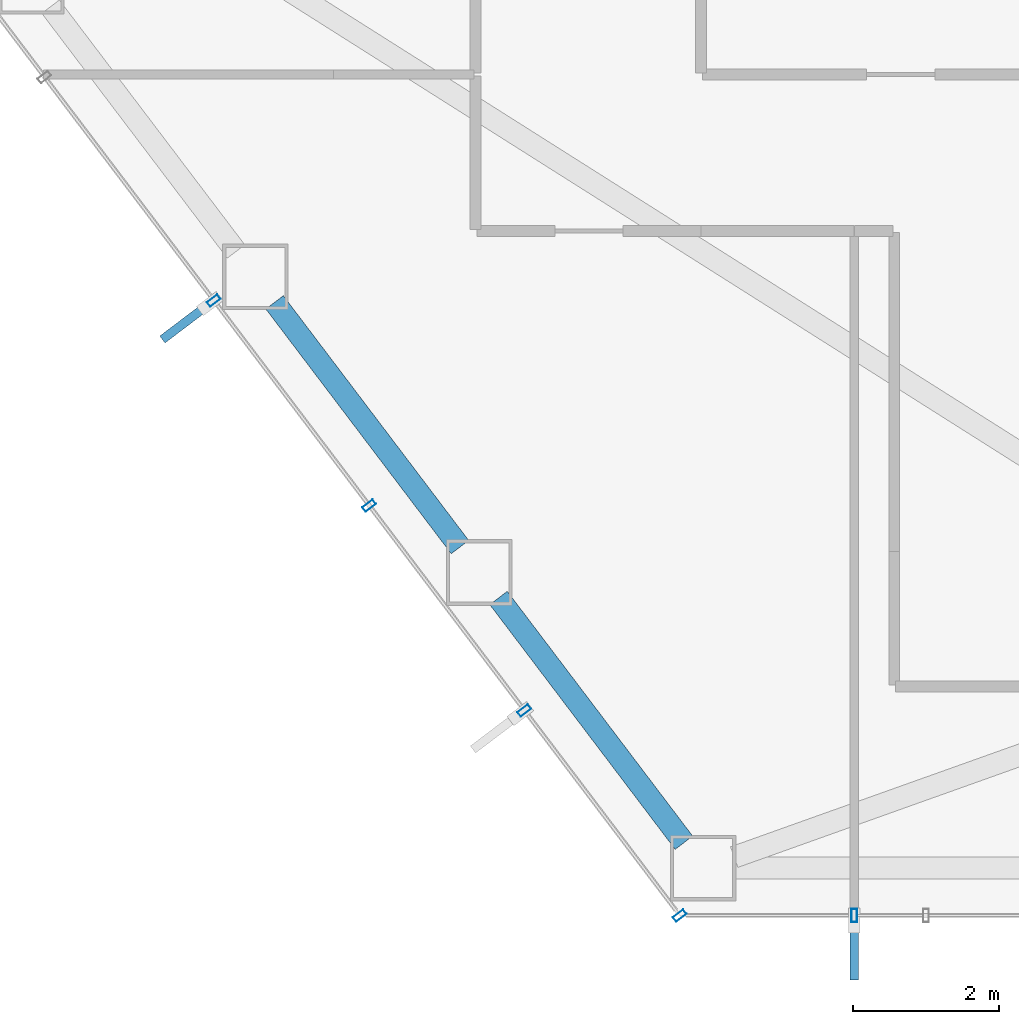
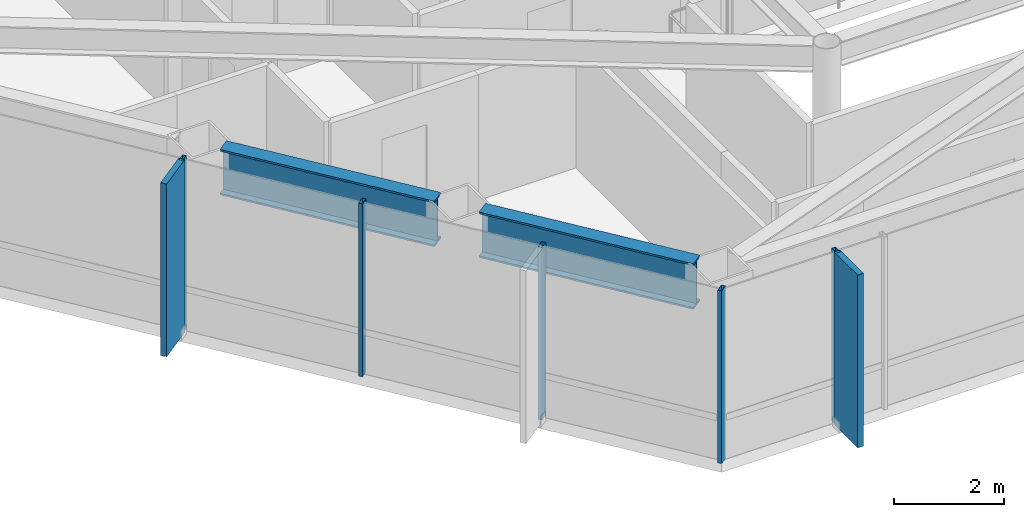
# One storey, part 2 of 24: 7 members, 2 beams, 2 elements without a shape of their own.
"""IFC4 building model written with IfcOpenShell, lengths in metres."""

from ifc_helpers import new_model, si_unit, direction, frame, origin, origin_2d, place, context, subcontext, project, spatial, rectangle, hollow_rectangle, i_section, extrude, material, layer, layer_set, material_profile, profile_set, type_object, element, aggregate, save


model = new_model("IFC4")

# Units and contexts
model_context = context("Model", 3, precision=1e-05, world=origin(), true_north=direction((0.0, 1.0)))
body_context = subcontext(model_context, "Body", "Model", "MODEL_VIEW")
ifc_project = project(units=[si_unit("LENGTHUNIT", "METRE"), si_unit("AREAUNIT", "SQUARE_METRE"), si_unit("VOLUMEUNIT", "CUBIC_METRE"), si_unit("PLANEANGLEUNIT", "RADIAN"), si_unit("MASSUNIT", "GRAM", prefix="KILO")], contexts=[model_context])

# Site, building, storey
site_placement = place(None, origin())
site = spatial("IfcSite", under=ifc_project, at=site_placement, CompositionType="ELEMENT")
building_placement = place(site_placement, origin())
building = spatial("IfcBuilding", under=site, at=building_placement, Name="Zarrinselat Tower", CompositionType="ELEMENT")
storey_placement = place(building_placement, frame((0.0, 0.0, 76.5)))
storey = spatial("IfcBuildingStorey", under=building, at=storey_placement, Name="L18", CompositionType="ELEMENT", Elevation=76.5)

# Beams
ifc_material_1 = material(Name="Steel S460M", Category="steel")
ifc_material_profile_1 = material_profile(ifc_material_1, i_section(OverallWidth=0.302001953125, OverallDepth=1.008056640625, WebThickness=0.02099609375, FlangeThickness=0.0400390625, at=origin_2d()), Name="HEM 1000")
ifc_profile_set_1 = profile_set([ifc_material_profile_1], Name="Steel S460M")
beam_type = type_object("IfcBeamType", Name="BM-HEM1000", PredefinedType="BEAM", material=ifc_profile_set_1)
beam_1_placement = place(storey_placement, frame((22.69384765625, 27.021728515625, 3.31591796875), z_axis=(0.603857687995, -0.797092148154, 0.0), x_axis=(0.797092148154, 0.603857687995, 0.0)))
element("IfcBeam", 1, at=beam_1_placement, inside=storey, type_object=beam_type, Name="L18 Perimeter Spandrel Girder SP08", PredefinedType="BEAM", context=body_context, shape_type="SweptSolid", body=[
    extrude(i_section(OverallWidth=0.302001953125, OverallDepth=1.008056640625, WebThickness=0.02099609375, FlangeThickness=0.0400390625, at=origin_2d()), origin(), (0.0, 0.0, 1.0), 4.21484375),
])
beam_2_placement = place(storey_placement, frame((25.76806640625, 22.9638671875, 3.31591796875), z_axis=(0.603829808342, -0.797113268336, 0.0), x_axis=(0.797113268336, 0.603829808342, 0.0)))
element("IfcBeam", 2, at=beam_2_placement, inside=storey, type_object=beam_type, Name="L18 Perimeter Spandrel Girder SP09", PredefinedType="BEAM", context=body_context, shape_type="SweptSolid", body=[
    extrude(i_section(OverallWidth=0.302001953125, OverallDepth=1.008056640625, WebThickness=0.02099609375, FlangeThickness=0.0400390625, at=origin_2d()), origin(), (0.0, 0.0, 1.0), 4.215087890625),
])

# Curtain wall, members
ifc_material_2 = material(Name="Extruded Aluminium Alloy EN AW-6063 T6", Category="aluminium")
ifc_layer = layer(ifc_material_2, 0.18505859375)
ifc_layer_set = layer_set([ifc_layer], Name="Extruded Aluminium Alloy EN AW-6063 T6")
curtain_wall_type = type_object("IfcCurtainWallType", Name="CWS-OFF", PredefinedType="NOTDEFINED", material=ifc_layer_set)
curtain_wall_1_placement = place(storey_placement, origin())
curtain_wall_1 = element("IfcCurtainWall", 3, at=curtain_wall_1_placement, inside=storey, type_object=curtain_wall_type, Name="L18 Unitised Curtain Wall CW-L18-E03", PredefinedType="NOTDEFINED")
ifc_material_3 = material(Name="Extruded Aluminium Alloy EN AW-6063 T6", Category="aluminium")
ifc_material_profile_2 = material_profile(ifc_material_3, hollow_rectangle(XDim=0.080078125, YDim=0.179931640625, WallThickness=0.0048828125, at=origin_2d()), Name="RHS 180x80x5")
ifc_profile_set_2 = profile_set([ifc_material_profile_2], Name="Extruded Aluminium Alloy EN AW-6063 T6")
member_type_1 = type_object("IfcMemberType", Name="MEM-CW-MUL", PredefinedType="MULLION", material=ifc_profile_set_2)
member_1_placement = place(storey_placement, frame((21.860107421875, 27.0458984375, 0.0), z_axis=(0.0, 0.0, 1.0), x_axis=(0.603854869931, -0.797094283044, 0.0)))
member_1 = element("IfcMember", 4, at=member_1_placement, type_object=member_type_1, Name="CW-L18-E03 Mullion 3", PredefinedType="MULLION", context=body_context, shape_type="SweptSolid", body=[
    extrude(hollow_rectangle(XDim=0.080078125, YDim=0.179931640625, WallThickness=0.0048828125, at=origin_2d()), origin(), (0.0, 0.0, 1.0), 3.820068359375),
])
member_2_placement = place(storey_placement, frame((23.99169921875, 24.232177734375, 0.0), z_axis=(0.0, 0.0, 1.0), x_axis=(0.603854869931, -0.797094283044, 0.0)))
member_2 = element("IfcMember", 5, at=member_2_placement, type_object=member_type_1, Name="CW-L18-E03 Mullion 4", PredefinedType="MULLION", context=body_context, shape_type="SweptSolid", body=[
    extrude(hollow_rectangle(XDim=0.080078125, YDim=0.179931640625, WallThickness=0.0048828125, at=origin_2d()), origin(), (0.0, 0.0, 1.0), 3.820068359375),
])
member_3_placement = place(storey_placement, frame((26.123291015625, 21.418701171875, 0.0), z_axis=(0.0, 0.0, 1.0), x_axis=(0.603854869931, -0.797094283044, 0.0)))
member_3 = element("IfcMember", 6, at=member_3_placement, type_object=member_type_1, Name="CW-L18-E03 Mullion 5", PredefinedType="MULLION", context=body_context, shape_type="SweptSolid", body=[
    extrude(hollow_rectangle(XDim=0.080078125, YDim=0.179931640625, WallThickness=0.0048828125, at=origin_2d()), origin(), (0.0, 0.0, 1.0), 3.820068359375),
])
member_4_placement = place(storey_placement, frame((28.2548828125, 18.60498046875, 0.0), z_axis=(0.0, 0.0, 1.0), x_axis=(0.603854869931, -0.797094283044, 0.0)))
member_4 = element("IfcMember", 7, at=member_4_placement, type_object=member_type_1, Name="CW-L18-E03 Mullion 6", PredefinedType="MULLION", context=body_context, shape_type="SweptSolid", body=[
    extrude(hollow_rectangle(XDim=0.080078125, YDim=0.179931640625, WallThickness=0.0048828125, at=origin_2d()), origin(), (0.0, 0.0, 1.0), 3.820068359375),
])

# Curtain wall, member
curtain_wall_2_placement = place(storey_placement, origin())
curtain_wall_2 = element("IfcCurtainWall", 8, at=curtain_wall_2_placement, inside=storey, type_object=curtain_wall_type, Name="L18 Unitised Curtain Wall CW-L18-E04", PredefinedType="NOTDEFINED")
member_5_placement = place(storey_placement, frame((30.64990234375, 18.60498046875, 0.0), z_axis=(0.0, 0.0, 1.0), x_axis=(1.0, 0.0, 0.0)))
member_5 = element("IfcMember", 9, at=member_5_placement, type_object=member_type_1, Name="CW-L18-E04 Mullion 1", PredefinedType="MULLION", context=body_context, shape_type="SweptSolid", body=[
    extrude(hollow_rectangle(XDim=0.080078125, YDim=0.179931640625, WallThickness=0.0048828125, at=origin_2d()), origin(), (0.0, 0.0, 1.0), 3.820068359375),
])

# Member
ifc_material_4 = material(Name="Honed Cream Travertine Stone", Category="masonry")
ifc_material_profile_3 = material_profile(ifc_material_4, rectangle(XDim=0.1201171875, YDim=0.85009765625, at=origin_2d()), Name="FIN 850x120")
ifc_profile_set_3 = profile_set([ifc_material_profile_3], Name="Honed Cream Travertine Stone")
member_type_2 = type_object("IfcMemberType", Name="MEM-STONE-FIN", PredefinedType="USERDEFINED", material=ifc_profile_set_3)
member_6_placement = place(storey_placement, frame((21.493408203125, 26.76806640625, 0.0), z_axis=(0.0, 0.0, 1.0), x_axis=(-0.603854869931, 0.797094283044, 0.0)))
member_6 = element("IfcMember", 10, at=member_6_placement, type_object=member_type_2, Name="L18 Stone Shading Fin CW-L18-E03-03", ObjectType="FIN", PredefinedType="USERDEFINED", context=body_context, shape_type="SweptSolid", body=[
    extrude(rectangle(XDim=0.1201171875, YDim=0.85009765625, at=origin_2d()), origin(), (0.0, 0.0, 1.0), 3.820068359375),
])

aggregate(curtain_wall_1, [member_1, member_6, member_2, member_3, member_4])

member_7_placement = place(storey_placement, frame((30.64990234375, 18.14501953125, 0.0), z_axis=(0.0, 0.0, 1.0), x_axis=(-1.0, 0.0, 0.0)))
member_7 = element("IfcMember", 11, at=member_7_placement, type_object=member_type_2, Name="L18 Stone Shading Fin CW-L18-E04-01", ObjectType="FIN", PredefinedType="USERDEFINED", context=body_context, shape_type="SweptSolid", body=[
    extrude(rectangle(XDim=0.1201171875, YDim=0.85009765625, at=origin_2d()), origin(), (0.0, 0.0, 1.0), 3.820068359375),
])

aggregate(curtain_wall_2, [member_5, member_7])

save(model, "model.ifc")
